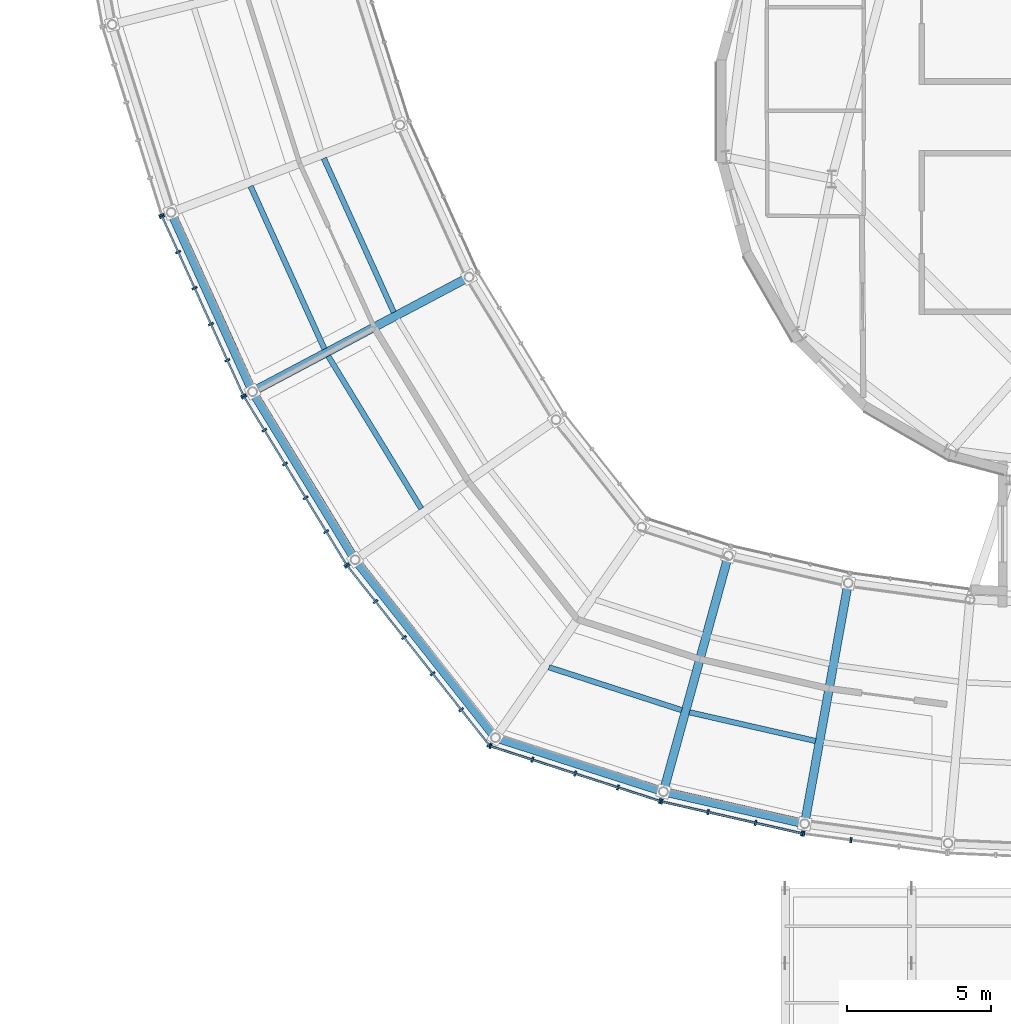
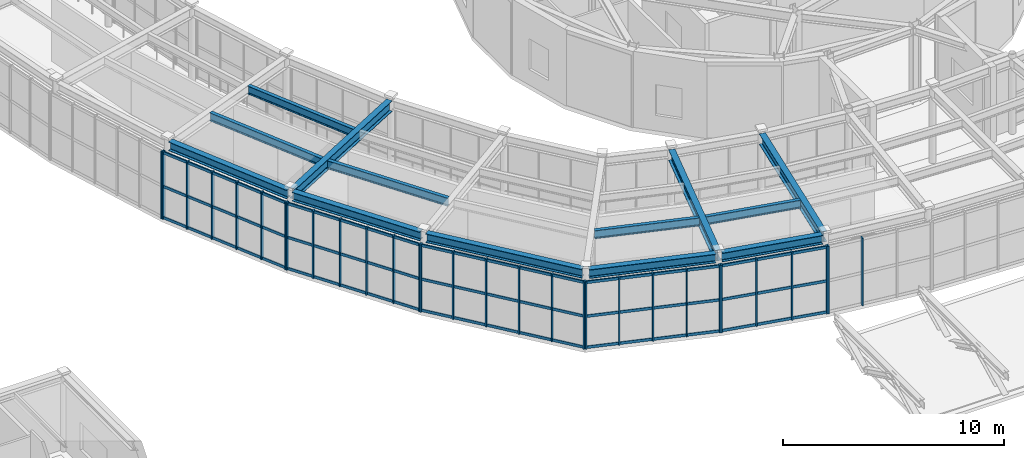
# One storey, part 19 of 103: 45 members, 13 beams, 7 elements without a shape of their own.
"""IFC4 building model written with IfcOpenShell, lengths in metres."""

from ifc_helpers import new_model, si_unit, direction, frame, origin, origin_2d, place, context, subcontext, project, spatial, rectangle, i_section, extrude, material, material_profile, profile_set, type_object, element, aggregate, save


model = new_model("IFC4")

# Units and contexts
model_context = context("Model", 3, precision=1e-05, world=origin(), true_north=direction((0.0, 1.0)))
body_context = subcontext(model_context, "Body", "Model", "MODEL_VIEW")
ifc_project = project(units=[si_unit("LENGTHUNIT", "METRE"), si_unit("AREAUNIT", "SQUARE_METRE"), si_unit("VOLUMEUNIT", "CUBIC_METRE"), si_unit("PLANEANGLEUNIT", "RADIAN"), si_unit("MASSUNIT", "GRAM", prefix="KILO")], contexts=[model_context])

# Site, building, storey
site_placement = place(None, origin())
site = spatial("IfcSite", under=ifc_project, at=site_placement, CompositionType="ELEMENT")
building_placement = place(site_placement, origin())
building = spatial("IfcBuilding", under=site, at=building_placement, Name="Varnklinge Art Gallery", CompositionType="ELEMENT")
storey_placement = place(building_placement, frame((0.0, 0.0, 5.10009765625)))
storey = spatial("IfcBuildingStorey", under=building, at=storey_placement, Name="L01", CompositionType="ELEMENT", Elevation=5.10009765625)

# Beams
ifc_material_1 = material(Name="Steel S355", Category="steel")
ifc_material_profile_1 = material_profile(ifc_material_1, i_section(OverallWidth=0.300048828125, OverallDepth=0.590087890625, WebThickness=0.012939453125, FlangeThickness=0.02490234375, FilletRadius=0.027099609375, at=origin_2d()), Name="HEA 600")
ifc_profile_set_1 = profile_set([ifc_material_profile_1], Name="Steel S355")
beam_type_1 = type_object("IfcBeamType", Name="BM-06", PredefinedType="BEAM", material=ifc_profile_set_1)
beam_1_placement = place(storey_placement, frame((46.407470703125, 28.734619140625, 3.885009765625), z_axis=(0.883713647739, 0.468027978651, 0.0), x_axis=(-0.468027978651, 0.883713647739, 0.0)))
element("IfcBeam", 1, at=beam_1_placement, inside=storey, type_object=beam_type_1, Name="L01 BM-06 BM-V2-L02-R31", PredefinedType="BEAM", context=body_context, shape_type="SweptSolid", body=[
    extrude(i_section(OverallWidth=0.300048828125, OverallDepth=0.590087890625, WebThickness=0.012939453125, FlangeThickness=0.02490234375, FilletRadius=0.027099609375, at=origin_2d()), origin(), (0.0, 0.0, 1.0), 8.237060546875),
])
for number, where, z_axis, x_axis, name in (
    (2, (60.607421875, 14.897705078125, 3.885009765625), (0.26537851046, 0.96414430776, 0.0), (-0.96414430776, 0.26537851046, 0.0), "L01 BM-06 BM-V2-L02-R34"),
    (3, (65.504638671875, 13.78271484375, 3.885009765625), (0.178151776958, 0.984003020507, 0.0), (-0.984003020507, 0.178151776958, 0.0), "L01 BM-06 BM-V2-L02-R35"),
):
    element("IfcBeam", number, at=place(storey_placement, frame(where, z_axis=z_axis, x_axis=x_axis)), inside=storey, type_object=beam_type_1, Name=name, PredefinedType="BEAM", context=body_context, shape_type="SweptSolid", body=[
        extrude(i_section(OverallWidth=0.300048828125, OverallDepth=0.590087890625, WebThickness=0.012939453125, FlangeThickness=0.02490234375, FilletRadius=0.027099609375, at=origin_2d()), origin(), (0.0, 0.0, 1.0), 8.229248046875),
    ])
ifc_material_2 = material(Name="Steel S355", Category="steel")
ifc_material_profile_2 = material_profile(ifc_material_2, i_section(OverallWidth=0.18994140625, OverallDepth=0.449951171875, WebThickness=0.009521484375, FlangeThickness=0.0146484375, FilletRadius=0.02099609375, at=origin_2d()), Name="IPE 450")
ifc_profile_set_2 = profile_set([ifc_material_profile_2], Name="Steel S355")
beam_type_2 = type_object("IfcBeamType", Name="JST-04", PredefinedType="JOIST", material=ifc_profile_set_2)
beam_2_placement = place(storey_placement, frame((46.216064453125, 35.809814453125, 3.954833984375), z_axis=(0.413409198448, -0.910545350127, 0.0), x_axis=(0.910545350127, 0.413409198448, 0.0)))
element("IfcBeam", 4, at=beam_2_placement, inside=storey, type_object=beam_type_2, Name="L01 JST-04 JST-V2-L02-30-1", PredefinedType="JOIST", context=body_context, shape_type="SweptSolid", body=[
    extrude(i_section(OverallWidth=0.18994140625, OverallDepth=0.449951171875, WebThickness=0.009521484375, FlangeThickness=0.0146484375, FilletRadius=0.02099609375, at=origin_2d()), origin(), (0.0, 0.0, 1.0), 6.2138671875),
])
beam_3_placement = place(storey_placement, frame((48.76171875, 36.783447265625, 3.954833984375), z_axis=(0.413430786601, -0.910535548285, 0.0), x_axis=(0.910535548285, 0.413430786601, 0.0)))
element("IfcBeam", 5, at=beam_3_placement, inside=storey, type_object=beam_type_2, Name="L01 JST-04 JST-V2-L02-30-2", PredefinedType="JOIST", context=body_context, shape_type="SweptSolid", body=[
    extrude(i_section(OverallWidth=0.18994140625, OverallDepth=0.449951171875, WebThickness=0.009521484375, FlangeThickness=0.0146484375, FilletRadius=0.02099609375, at=origin_2d()), origin(), (0.0, 0.0, 1.0), 5.88232421875),
])
beam_4_placement = place(storey_placement, frame((48.915771484375, 29.90478515625, 3.954833984375), z_axis=(0.520923848619, -0.853603153661, 0.0), x_axis=(0.853603153661, 0.520923848619, 0.0)))
element("IfcBeam", 6, at=beam_4_placement, inside=storey, type_object=beam_type_2, Name="L01 JST-04 JST-V2-L02-31-1", PredefinedType="JOIST", context=body_context, shape_type="SweptSolid", body=[
    extrude(i_section(OverallWidth=0.18994140625, OverallDepth=0.449951171875, WebThickness=0.009521484375, FlangeThickness=0.0146484375, FilletRadius=0.02099609375, at=origin_2d()), origin(), (0.0, 0.0, 1.0), 6.213623046875),
])
beam_5_placement = place(storey_placement, frame((56.59130859375, 19.085693359375, 3.954833984375), z_axis=(0.951573262441, -0.307422065259, 0.0), x_axis=(0.307422065259, 0.951573262441, 0.0)))
element("IfcBeam", 7, at=beam_5_placement, inside=storey, type_object=beam_type_2, Name="L01 JST-04 JST-V2-L02-33-1", PredefinedType="JOIST", context=body_context, shape_type="SweptSolid", body=[
    extrude(i_section(OverallWidth=0.18994140625, OverallDepth=0.449951171875, WebThickness=0.009521484375, FlangeThickness=0.0146484375, FilletRadius=0.02099609375, at=origin_2d()), origin(), (0.0, 0.0, 1.0), 4.848388671875),
])
beam_6_placement = place(storey_placement, frame((61.474609375, 17.52099609375, 3.954833984375), z_axis=(0.975052249235, -0.22197547446, 0.0), x_axis=(0.22197547446, 0.975052249235, 0.0)))
element("IfcBeam", 8, at=beam_6_placement, inside=storey, type_object=beam_type_2, Name="L01 JST-04 JST-V2-L02-34-1", PredefinedType="JOIST", context=body_context, shape_type="SweptSolid", body=[
    extrude(i_section(OverallWidth=0.18994140625, OverallDepth=0.449951171875, WebThickness=0.009521484375, FlangeThickness=0.0146484375, FilletRadius=0.02099609375, at=origin_2d()), origin(), (0.0, 0.0, 1.0), 4.49609375),
])

# Curtain wall, member
ifc_material_3 = material(Name="Anodised Aluminium", Category="aluminium")
curtain_wall_type_1 = type_object("IfcCurtainWallType", Name="CW-R02", PredefinedType="USERDEFINED", material=ifc_material_3)
curtain_wall_1_placement = place(storey_placement, origin())
curtain_wall_1 = element("IfcCurtainWall", 9, at=curtain_wall_1_placement, inside=storey, type_object=curtain_wall_type_1, Name="L01 Curtain Wall CW-V2O-L01-29", ObjectType="UNITISED CURTAIN WALL", PredefinedType="USERDEFINED")
ifc_material_4 = material(Name="Anodised Aluminium", Category="aluminium")
ifc_material_profile_3 = material_profile(ifc_material_4, rectangle(XDim=0.06494140625, YDim=0.179931640625, at=origin_2d()), Name="ALU 65x180")
ifc_profile_set_3 = profile_set([ifc_material_profile_3], Name="Anodised Aluminium")
member_type_1 = type_object("IfcMemberType", Name="MUL-01", PredefinedType="MULLION", material=ifc_profile_set_3)
member_1_placement = place(storey_placement, frame((43.116943359375, 34.808837890625, 0.0), z_axis=(0.0, 0.0, 1.0), x_axis=(0.299706904751, -0.954031326134, 0.0)))
member_1 = element("IfcMember", 10, at=member_1_placement, type_object=member_type_1, Name="CW-V2O-L01-29 Mullion 6", PredefinedType="MULLION", context=body_context, shape_type="SweptSolid", body=[
    extrude(rectangle(XDim=0.06494140625, YDim=0.179931640625, at=origin_2d()), origin(), (0.0, 0.0, 1.0), 3.72998046875),
])
aggregate(curtain_wall_1, [member_1])

# Curtain wall, members
curtain_wall_2_placement = place(storey_placement, origin())
curtain_wall_2 = element("IfcCurtainWall", 11, at=curtain_wall_2_placement, inside=storey, type_object=curtain_wall_type_1, Name="L01 Curtain Wall CW-V2O-L01-30", ObjectType="UNITISED CURTAIN WALL", PredefinedType="USERDEFINED")
member_2_placement = place(storey_placement, frame((43.139892578125, 34.748291015625, 0.0), z_axis=(0.0, 0.0, 1.0), x_axis=(0.413422293217, -0.910539404678, 0.0)))
member_2 = element("IfcMember", 12, at=member_2_placement, type_object=member_type_1, Name="CW-V2O-L01-30 Mullion 1", PredefinedType="MULLION", context=body_context, shape_type="SweptSolid", body=[
    extrude(rectangle(XDim=0.06494140625, YDim=0.179931640625, at=origin_2d()), origin(), (0.0, 0.0, 1.0), 3.72998046875),
])
member_3_placement = place(storey_placement, frame((43.6962890625, 33.523193359375, 0.0), z_axis=(0.0, 0.0, 1.0), x_axis=(0.413422293217, -0.910539404678, 0.0)))
member_3 = element("IfcMember", 13, at=member_3_placement, type_object=member_type_1, Name="CW-V2O-L01-30 Mullion 2", PredefinedType="MULLION", context=body_context, shape_type="SweptSolid", body=[
    extrude(rectangle(XDim=0.06494140625, YDim=0.179931640625, at=origin_2d()), origin(), (0.0, 0.0, 1.0), 3.72998046875),
])
member_4_placement = place(storey_placement, frame((44.265869140625, 32.268798828125, 0.0), z_axis=(0.0, 0.0, 1.0), x_axis=(0.413422293217, -0.910539404678, 0.0)))
member_4 = element("IfcMember", 14, at=member_4_placement, type_object=member_type_1, Name="CW-V2O-L01-30 Mullion 3", PredefinedType="MULLION", context=body_context, shape_type="SweptSolid", body=[
    extrude(rectangle(XDim=0.06494140625, YDim=0.179931640625, at=origin_2d()), origin(), (0.0, 0.0, 1.0), 3.72998046875),
])
member_5_placement = place(storey_placement, frame((44.835205078125, 31.01416015625, 0.0), z_axis=(0.0, 0.0, 1.0), x_axis=(0.413422293217, -0.910539404678, 0.0)))
member_5 = element("IfcMember", 15, at=member_5_placement, type_object=member_type_1, Name="CW-V2O-L01-30 Mullion 4", PredefinedType="MULLION", context=body_context, shape_type="SweptSolid", body=[
    extrude(rectangle(XDim=0.06494140625, YDim=0.179931640625, at=origin_2d()), origin(), (0.0, 0.0, 1.0), 3.72998046875),
])
member_6_placement = place(storey_placement, frame((45.40478515625, 29.759765625, 0.0), z_axis=(0.0, 0.0, 1.0), x_axis=(0.413422293217, -0.910539404678, 0.0)))
member_6 = element("IfcMember", 16, at=member_6_placement, type_object=member_type_1, Name="CW-V2O-L01-30 Mullion 5", PredefinedType="MULLION", context=body_context, shape_type="SweptSolid", body=[
    extrude(rectangle(XDim=0.06494140625, YDim=0.179931640625, at=origin_2d()), origin(), (0.0, 0.0, 1.0), 3.72998046875),
])
member_7_placement = place(storey_placement, frame((45.961181640625, 28.534912109375, 0.0), z_axis=(0.0, 0.0, 1.0), x_axis=(0.413422293217, -0.910539404678, 0.0)))
member_7 = element("IfcMember", 17, at=member_7_placement, type_object=member_type_1, Name="CW-V2O-L01-30 Mullion 6", PredefinedType="MULLION", context=body_context, shape_type="SweptSolid", body=[
    extrude(rectangle(XDim=0.06494140625, YDim=0.179931640625, at=origin_2d()), origin(), (0.0, 0.0, 1.0), 3.72998046875),
])

curtain_wall_3_placement = place(storey_placement, origin())
curtain_wall_3 = element("IfcCurtainWall", 18, at=curtain_wall_3_placement, inside=storey, type_object=curtain_wall_type_1, Name="L01 Curtain Wall CW-V2O-L01-31", ObjectType="UNITISED CURTAIN WALL", PredefinedType="USERDEFINED")
member_8_placement = place(storey_placement, frame((45.991455078125, 28.4775390625, 0.0), z_axis=(0.0, 0.0, 1.0), x_axis=(0.520860651188, -0.85364171761, 0.0)))
member_8 = element("IfcMember", 19, at=member_8_placement, type_object=member_type_1, Name="CW-V2O-L01-31 Mullion 1", PredefinedType="MULLION", context=body_context, shape_type="SweptSolid", body=[
    extrude(rectangle(XDim=0.06494140625, YDim=0.179931640625, at=origin_2d()), origin(), (0.0, 0.0, 1.0), 3.72998046875),
])
member_9_placement = place(storey_placement, frame((46.692138671875, 27.3291015625, 0.0), z_axis=(0.0, 0.0, 1.0), x_axis=(0.520860651188, -0.85364171761, 0.0)))
member_9 = element("IfcMember", 20, at=member_9_placement, type_object=member_type_1, Name="CW-V2O-L01-31 Mullion 2", PredefinedType="MULLION", context=body_context, shape_type="SweptSolid", body=[
    extrude(rectangle(XDim=0.06494140625, YDim=0.179931640625, at=origin_2d()), origin(), (0.0, 0.0, 1.0), 3.72998046875),
])
member_10_placement = place(storey_placement, frame((47.409912109375, 26.153076171875, 0.0), z_axis=(0.0, 0.0, 1.0), x_axis=(0.520860651188, -0.85364171761, 0.0)))
member_10 = element("IfcMember", 21, at=member_10_placement, type_object=member_type_1, Name="CW-V2O-L01-31 Mullion 3", PredefinedType="MULLION", context=body_context, shape_type="SweptSolid", body=[
    extrude(rectangle(XDim=0.06494140625, YDim=0.179931640625, at=origin_2d()), origin(), (0.0, 0.0, 1.0), 3.72998046875),
])
member_11_placement = place(storey_placement, frame((48.127685546875, 24.97705078125, 0.0), z_axis=(0.0, 0.0, 1.0), x_axis=(0.520860651188, -0.85364171761, 0.0)))
member_11 = element("IfcMember", 22, at=member_11_placement, type_object=member_type_1, Name="CW-V2O-L01-31 Mullion 4", PredefinedType="MULLION", context=body_context, shape_type="SweptSolid", body=[
    extrude(rectangle(XDim=0.06494140625, YDim=0.179931640625, at=origin_2d()), origin(), (0.0, 0.0, 1.0), 3.72998046875),
])
member_12_placement = place(storey_placement, frame((48.84521484375, 23.801025390625, 0.0), z_axis=(0.0, 0.0, 1.0), x_axis=(0.520860651188, -0.85364171761, 0.0)))
member_12 = element("IfcMember", 23, at=member_12_placement, type_object=member_type_1, Name="CW-V2O-L01-31 Mullion 5", PredefinedType="MULLION", context=body_context, shape_type="SweptSolid", body=[
    extrude(rectangle(XDim=0.06494140625, YDim=0.179931640625, at=origin_2d()), origin(), (0.0, 0.0, 1.0), 3.72998046875),
])
member_13_placement = place(storey_placement, frame((49.546142578125, 22.652587890625, 0.0), z_axis=(0.0, 0.0, 1.0), x_axis=(0.520860651188, -0.85364171761, 0.0)))
member_13 = element("IfcMember", 24, at=member_13_placement, type_object=member_type_1, Name="CW-V2O-L01-31 Mullion 6", PredefinedType="MULLION", context=body_context, shape_type="SweptSolid", body=[
    extrude(rectangle(XDim=0.06494140625, YDim=0.179931640625, at=origin_2d()), origin(), (0.0, 0.0, 1.0), 3.72998046875),
])

curtain_wall_4_placement = place(storey_placement, origin())
curtain_wall_4 = element("IfcCurtainWall", 25, at=curtain_wall_4_placement, inside=storey, type_object=curtain_wall_type_1, Name="L01 Curtain Wall CW-V2O-L01-32", ObjectType="UNITISED CURTAIN WALL", PredefinedType="USERDEFINED")
member_14_placement = place(storey_placement, frame((49.583251953125, 22.599609375, 0.0), z_axis=(0.0, 0.0, 1.0), x_axis=(0.620737354217, -0.784018582101, 0.0)))
member_14 = element("IfcMember", 26, at=member_14_placement, type_object=member_type_1, Name="CW-V2O-L01-32 Mullion 1", PredefinedType="MULLION", context=body_context, shape_type="SweptSolid", body=[
    extrude(rectangle(XDim=0.06494140625, YDim=0.179931640625, at=origin_2d()), origin(), (0.0, 0.0, 1.0), 3.72998046875),
])
member_15_placement = place(storey_placement, frame((50.556396484375, 21.37060546875, 0.0), z_axis=(0.0, 0.0, 1.0), x_axis=(0.620737354217, -0.784018582101, 0.0)))
member_15 = element("IfcMember", 27, at=member_15_placement, type_object=member_type_1, Name="CW-V2O-L01-32 Mullion 2", PredefinedType="MULLION", context=body_context, shape_type="SweptSolid", body=[
    extrude(rectangle(XDim=0.06494140625, YDim=0.179931640625, at=origin_2d()), origin(), (0.0, 0.0, 1.0), 3.72998046875),
])
member_16_placement = place(storey_placement, frame((51.549560546875, 20.1162109375, 0.0), z_axis=(0.0, 0.0, 1.0), x_axis=(0.620737354217, -0.784018582101, 0.0)))
member_16 = element("IfcMember", 28, at=member_16_placement, type_object=member_type_1, Name="CW-V2O-L01-32 Mullion 3", PredefinedType="MULLION", context=body_context, shape_type="SweptSolid", body=[
    extrude(rectangle(XDim=0.06494140625, YDim=0.179931640625, at=origin_2d()), origin(), (0.0, 0.0, 1.0), 3.72998046875),
])
member_17_placement = place(storey_placement, frame((52.542724609375, 18.86181640625, 0.0), z_axis=(0.0, 0.0, 1.0), x_axis=(0.620737354217, -0.784018582101, 0.0)))
member_17 = element("IfcMember", 29, at=member_17_placement, type_object=member_type_1, Name="CW-V2O-L01-32 Mullion 4", PredefinedType="MULLION", context=body_context, shape_type="SweptSolid", body=[
    extrude(rectangle(XDim=0.06494140625, YDim=0.179931640625, at=origin_2d()), origin(), (0.0, 0.0, 1.0), 3.72998046875),
])
member_18_placement = place(storey_placement, frame((53.5361328125, 17.607177734375, 0.0), z_axis=(0.0, 0.0, 1.0), x_axis=(0.620737354217, -0.784018582101, 0.0)))
member_18 = element("IfcMember", 30, at=member_18_placement, type_object=member_type_1, Name="CW-V2O-L01-32 Mullion 5", PredefinedType="MULLION", context=body_context, shape_type="SweptSolid", body=[
    extrude(rectangle(XDim=0.06494140625, YDim=0.179931640625, at=origin_2d()), origin(), (0.0, 0.0, 1.0), 3.72998046875),
])
member_19_placement = place(storey_placement, frame((54.50927734375, 16.37841796875, 0.0), z_axis=(0.0, 0.0, 1.0), x_axis=(0.620737354217, -0.784018582101, 0.0)))
member_19 = element("IfcMember", 31, at=member_19_placement, type_object=member_type_1, Name="CW-V2O-L01-32 Mullion 6", PredefinedType="MULLION", context=body_context, shape_type="SweptSolid", body=[
    extrude(rectangle(XDim=0.06494140625, YDim=0.179931640625, at=origin_2d()), origin(), (0.0, 0.0, 1.0), 3.72998046875),
])

curtain_wall_5_placement = place(storey_placement, origin())
curtain_wall_5 = element("IfcCurtainWall", 32, at=curtain_wall_5_placement, inside=storey, type_object=curtain_wall_type_1, Name="L01 Curtain Wall CW-V2O-L01-33", ObjectType="UNITISED CURTAIN WALL", PredefinedType="USERDEFINED")
member_20_placement = place(storey_placement, frame((54.560302734375, 16.3427734375, 0.0), z_axis=(0.0, 0.0, 1.0), x_axis=(0.951272019071, -0.30835295642, 0.0)))
member_20 = element("IfcMember", 33, at=member_20_placement, type_object=member_type_1, Name="CW-V2O-L01-33 Mullion 1", PredefinedType="MULLION", context=body_context, shape_type="SweptSolid", body=[
    extrude(rectangle(XDim=0.06494140625, YDim=0.179931640625, at=origin_2d()), origin(), (0.0, 0.0, 1.0), 3.72998046875),
])
member_21_placement = place(storey_placement, frame((56.016357421875, 15.870849609375, 0.0), z_axis=(0.0, 0.0, 1.0), x_axis=(0.951272019071, -0.30835295642, 0.0)))
member_21 = element("IfcMember", 34, at=member_21_placement, type_object=member_type_1, Name="CW-V2O-L01-33 Mullion 2", PredefinedType="MULLION", context=body_context, shape_type="SweptSolid", body=[
    extrude(rectangle(XDim=0.06494140625, YDim=0.179931640625, at=origin_2d()), origin(), (0.0, 0.0, 1.0), 3.72998046875),
])
member_22_placement = place(storey_placement, frame((57.50341796875, 15.388916015625, 0.0), z_axis=(0.0, 0.0, 1.0), x_axis=(0.951272019071, -0.30835295642, 0.0)))
member_22 = element("IfcMember", 35, at=member_22_placement, type_object=member_type_1, Name="CW-V2O-L01-33 Mullion 3", PredefinedType="MULLION", context=body_context, shape_type="SweptSolid", body=[
    extrude(rectangle(XDim=0.06494140625, YDim=0.179931640625, at=origin_2d()), origin(), (0.0, 0.0, 1.0), 3.72998046875),
])
member_23_placement = place(storey_placement, frame((58.990478515625, 14.906982421875, 0.0), z_axis=(0.0, 0.0, 1.0), x_axis=(0.951272019071, -0.30835295642, 0.0)))
member_23 = element("IfcMember", 36, at=member_23_placement, type_object=member_type_1, Name="CW-V2O-L01-33 Mullion 4", PredefinedType="MULLION", context=body_context, shape_type="SweptSolid", body=[
    extrude(rectangle(XDim=0.06494140625, YDim=0.179931640625, at=origin_2d()), origin(), (0.0, 0.0, 1.0), 3.72998046875),
])
member_24_placement = place(storey_placement, frame((60.446533203125, 14.435302734375, 0.0), z_axis=(0.0, 0.0, 1.0), x_axis=(0.951272019071, -0.30835295642, 0.0)))
member_24 = element("IfcMember", 37, at=member_24_placement, type_object=member_type_1, Name="CW-V2O-L01-33 Mullion 5", PredefinedType="MULLION", context=body_context, shape_type="SweptSolid", body=[
    extrude(rectangle(XDim=0.06494140625, YDim=0.179931640625, at=origin_2d()), origin(), (0.0, 0.0, 1.0), 3.72998046875),
])

ifc_material_5 = material(Name="Anodised Aluminium", Category="aluminium")
curtain_wall_type_2 = type_object("IfcCurtainWallType", Name="CW-R04", PredefinedType="USERDEFINED", material=ifc_material_5)
curtain_wall_6_placement = place(storey_placement, origin())
curtain_wall_6 = element("IfcCurtainWall", 38, at=curtain_wall_6_placement, inside=storey, type_object=curtain_wall_type_2, Name="L01 Curtain Wall CW-V2O-L01-34", ObjectType="UNITISED CURTAIN WALL", PredefinedType="USERDEFINED")
member_25_placement = place(storey_placement, frame((60.509033203125, 14.41796875, 0.0), z_axis=(0.0, 0.0, 1.0), x_axis=(0.975071959883, -0.221888875454, 0.0)))
member_25 = element("IfcMember", 39, at=member_25_placement, type_object=member_type_1, Name="CW-V2O-L01-34 Mullion 1", PredefinedType="MULLION", context=body_context, shape_type="SweptSolid", body=[
    extrude(rectangle(XDim=0.06494140625, YDim=0.179931640625, at=origin_2d()), origin(), (0.0, 0.0, 1.0), 3.72998046875),
])
member_26_placement = place(storey_placement, frame((62.1240234375, 14.05029296875, 0.0), z_axis=(0.0, 0.0, 1.0), x_axis=(0.975071959883, -0.221888875454, 0.0)))
member_26 = element("IfcMember", 40, at=member_26_placement, type_object=member_type_1, Name="CW-V2O-L01-34 Mullion 2", PredefinedType="MULLION", context=body_context, shape_type="SweptSolid", body=[
    extrude(rectangle(XDim=0.06494140625, YDim=0.179931640625, at=origin_2d()), origin(), (0.0, 0.0, 1.0), 3.72998046875),
])
member_27_placement = place(storey_placement, frame((63.770751953125, 13.675537109375, 0.0), z_axis=(0.0, 0.0, 1.0), x_axis=(0.975071959883, -0.221888875454, 0.0)))
member_27 = element("IfcMember", 41, at=member_27_placement, type_object=member_type_1, Name="CW-V2O-L01-34 Mullion 3", PredefinedType="MULLION", context=body_context, shape_type="SweptSolid", body=[
    extrude(rectangle(XDim=0.06494140625, YDim=0.179931640625, at=origin_2d()), origin(), (0.0, 0.0, 1.0), 3.72998046875),
])
member_28_placement = place(storey_placement, frame((65.3857421875, 13.307861328125, 0.0), z_axis=(0.0, 0.0, 1.0), x_axis=(0.975071959883, -0.221888875454, 0.0)))
member_28 = element("IfcMember", 42, at=member_28_placement, type_object=member_type_1, Name="CW-V2O-L01-34 Mullion 4", PredefinedType="MULLION", context=body_context, shape_type="SweptSolid", body=[
    extrude(rectangle(XDim=0.06494140625, YDim=0.179931640625, at=origin_2d()), origin(), (0.0, 0.0, 1.0), 3.72998046875),
])

curtain_wall_7_placement = place(storey_placement, origin())
curtain_wall_7 = element("IfcCurtainWall", 43, at=curtain_wall_7_placement, inside=storey, type_object=curtain_wall_type_2, Name="L01 Curtain Wall CW-V2O-L01-35", ObjectType="UNITISED CURTAIN WALL", PredefinedType="USERDEFINED")
member_29_placement = place(storey_placement, frame((65.44970703125, 13.296142578125, 0.0), z_axis=(0.0, 0.0, 1.0), x_axis=(0.990983199715, -0.133986185418, 0.0)))
member_29 = element("IfcMember", 44, at=member_29_placement, type_object=member_type_1, Name="CW-V2O-L01-35 Mullion 1", PredefinedType="MULLION", context=body_context, shape_type="SweptSolid", body=[
    extrude(rectangle(XDim=0.06494140625, YDim=0.179931640625, at=origin_2d()), origin(), (0.0, 0.0, 1.0), 3.72998046875),
])
member_30_placement = place(storey_placement, frame((67.091064453125, 13.074462890625, 0.0), z_axis=(0.0, 0.0, 1.0), x_axis=(0.990983199715, -0.133986185418, 0.0)))
member_30 = element("IfcMember", 45, at=member_30_placement, type_object=member_type_1, Name="CW-V2O-L01-35 Mullion 2", PredefinedType="MULLION", context=body_context, shape_type="SweptSolid", body=[
    extrude(rectangle(XDim=0.06494140625, YDim=0.179931640625, at=origin_2d()), origin(), (0.0, 0.0, 1.0), 3.72998046875),
])
aggregate(curtain_wall_7, [member_29, member_30])

# Beams
ifc_material_6 = material(Name="Steel S355", Category="steel")
ifc_material_profile_4 = material_profile(ifc_material_6, i_section(OverallWidth=0.300048828125, OverallDepth=0.489990234375, WebThickness=0.011962890625, FlangeThickness=0.02294921875, FilletRadius=0.027099609375, at=origin_2d()), Name="HEA 500")
ifc_profile_set_4 = profile_set([ifc_material_profile_4], Name="Steel S355")
beam_type_3 = type_object("IfcBeamType", Name="SPB-01", PredefinedType="SPANDREL", material=ifc_profile_set_4)
beam_7_placement = place(storey_placement, frame((43.511474609375, 34.775390625, 3.934814453125), z_axis=(0.413377101484, -0.910559922229, 0.0), x_axis=(0.910559922229, 0.413377101484, 0.0)))
element("IfcBeam", 46, at=beam_7_placement, inside=storey, type_object=beam_type_3, Name="L01 SPB-01 BM-V2-L02-O30", PredefinedType="SPANDREL", context=body_context, shape_type="SweptSolid", body=[
    extrude(i_section(OverallWidth=0.300048828125, OverallDepth=0.489990234375, WebThickness=0.011962890625, FlangeThickness=0.02294921875, FilletRadius=0.027099609375, at=origin_2d()), origin(), (0.0, 0.0, 1.0), 6.56640625),
])
beam_8_placement = place(storey_placement, frame((46.356689453125, 28.549560546875, 3.934814453125), z_axis=(0.520911485476, -0.853610698327, 0.0), x_axis=(0.853610698327, 0.520911485476, 0.0)))
element("IfcBeam", 47, at=beam_8_placement, inside=storey, type_object=beam_type_3, Name="L01 SPB-01 BM-V2-L02-O31", PredefinedType="SPANDREL", context=body_context, shape_type="SweptSolid", body=[
    extrude(i_section(OverallWidth=0.300048828125, OverallDepth=0.489990234375, WebThickness=0.011962890625, FlangeThickness=0.02294921875, FilletRadius=0.027099609375, at=origin_2d()), origin(), (0.0, 0.0, 1.0), 6.566162109375),
])
beam_9_placement = place(storey_placement, frame((49.936767578125, 22.71533203125, 3.934814453125), z_axis=(0.619327516232, -0.785132745233, 0.0), x_axis=(0.785132745233, 0.619327516232, 0.0)))
element("IfcBeam", 48, at=beam_9_placement, inside=storey, type_object=beam_type_3, Name="L01 SPB-01 BM-V2-L02-O32", PredefinedType="SPANDREL", context=body_context, shape_type="SweptSolid", body=[
    extrude(i_section(OverallWidth=0.300048828125, OverallDepth=0.489990234375, WebThickness=0.011962890625, FlangeThickness=0.02294921875, FilletRadius=0.027099609375, at=origin_2d()), origin(), (0.0, 0.0, 1.0), 7.597900390625),
])
beam_10_placement = place(storey_placement, frame((54.8623046875, 16.597412109375, 3.934814453125), z_axis=(0.952022487869, -0.306028074843, 0.0), x_axis=(0.306028074843, 0.952022487869, 0.0)))
element("IfcBeam", 49, at=beam_10_placement, inside=storey, type_object=beam_type_3, Name="L01 SPB-01 BM-V2-L02-O33", PredefinedType="SPANDREL", context=body_context, shape_type="SweptSolid", body=[
    extrude(i_section(OverallWidth=0.300048828125, OverallDepth=0.489990234375, WebThickness=0.011962890625, FlangeThickness=0.02294921875, FilletRadius=0.027099609375, at=origin_2d()), origin(), (0.0, 0.0, 1.0), 5.855712890625),
])
beam_11_placement = place(storey_placement, frame((60.706787109375, 14.7314453125, 3.934814453125), z_axis=(0.975056640979, -0.221956182347, 0.0), x_axis=(0.221956182347, 0.975056640979, 0.0)))
element("IfcBeam", 50, at=beam_11_placement, inside=storey, type_object=beam_type_3, Name="L01 SPB-01 BM-V2-L02-O34", PredefinedType="SPANDREL", context=body_context, shape_type="SweptSolid", body=[
    extrude(i_section(OverallWidth=0.300048828125, OverallDepth=0.489990234375, WebThickness=0.011962890625, FlangeThickness=0.02294921875, FilletRadius=0.027099609375, at=origin_2d()), origin(), (0.0, 0.0, 1.0), 4.755126953125),
])

# Member
ifc_material_7 = material(Name="Anodised Aluminium", Category="aluminium")
ifc_material_profile_5 = material_profile(ifc_material_7, rectangle(XDim=0.06494140625, YDim=0.14990234375, at=origin_2d()), Name="ALU 65x150")
ifc_profile_set_5 = profile_set([ifc_material_profile_5], Name="Anodised Aluminium")
member_type_2 = type_object("IfcMemberType", Name="TRN-01", PredefinedType="USERDEFINED", material=ifc_profile_set_5)
member_31_placement = place(storey_placement, frame((43.139892578125, 34.748291015625, 0.074951171875), z_axis=(0.413441708703, -0.910530589, 0.0), x_axis=(0.910530589, 0.413441708703, 0.0)))
member_31 = element("IfcMember", 51, at=member_31_placement, type_object=member_type_2, Name="CW-V2O-L01-30 Transom 1", ObjectType="TRANSOM", PredefinedType="USERDEFINED", context=body_context, shape_type="SweptSolid", body=[
    extrude(rectangle(XDim=0.06494140625, YDim=0.14990234375, at=origin_2d()), origin(), (0.0, 0.0, 1.0), 6.823974609375),
])

member_32_placement = place(storey_placement, frame((43.139892578125, 34.748291015625, 1.790283203125), z_axis=(0.413441708703, -0.910530589, 0.0), x_axis=(0.910530589, 0.413441708703, 0.0)))
member_32 = element("IfcMember", 52, at=member_32_placement, type_object=member_type_2, Name="CW-V2O-L01-30 Transom 2", ObjectType="TRANSOM", PredefinedType="USERDEFINED", context=body_context, shape_type="SweptSolid", body=[
    extrude(rectangle(XDim=0.06494140625, YDim=0.14990234375, at=origin_2d()), origin(), (0.0, 0.0, 1.0), 6.823974609375),
])

member_33_placement = place(storey_placement, frame((43.139892578125, 34.748291015625, 3.65478515625), z_axis=(0.413441708703, -0.910530589, 0.0), x_axis=(0.910530589, 0.413441708703, 0.0)))
member_33 = element("IfcMember", 53, at=member_33_placement, type_object=member_type_2, Name="CW-V2O-L01-30 Transom 3", ObjectType="TRANSOM", PredefinedType="USERDEFINED", context=body_context, shape_type="SweptSolid", body=[
    extrude(rectangle(XDim=0.06494140625, YDim=0.14990234375, at=origin_2d()), origin(), (0.0, 0.0, 1.0), 6.823974609375),
])

aggregate(curtain_wall_2, [member_2, member_3, member_4, member_5, member_6, member_7, member_31, member_32, member_33])

member_34_placement = place(storey_placement, frame((45.991455078125, 28.4775390625, 0.074951171875), z_axis=(0.520915902613, -0.853608002777, 0.0), x_axis=(0.853608002777, 0.520915902613, 0.0)))
member_34 = element("IfcMember", 54, at=member_34_placement, type_object=member_type_2, Name="CW-V2O-L01-31 Transom 1", ObjectType="TRANSOM", PredefinedType="USERDEFINED", context=body_context, shape_type="SweptSolid", body=[
    extrude(rectangle(XDim=0.06494140625, YDim=0.14990234375, at=origin_2d()), origin(), (0.0, 0.0, 1.0), 6.823974609375),
])

member_35_placement = place(storey_placement, frame((45.991455078125, 28.4775390625, 1.790283203125), z_axis=(0.520915902613, -0.853608002777, 0.0), x_axis=(0.853608002777, 0.520915902613, 0.0)))
member_35 = element("IfcMember", 55, at=member_35_placement, type_object=member_type_2, Name="CW-V2O-L01-31 Transom 2", ObjectType="TRANSOM", PredefinedType="USERDEFINED", context=body_context, shape_type="SweptSolid", body=[
    extrude(rectangle(XDim=0.06494140625, YDim=0.14990234375, at=origin_2d()), origin(), (0.0, 0.0, 1.0), 6.823974609375),
])

member_36_placement = place(storey_placement, frame((45.991455078125, 28.4775390625, 3.65478515625), z_axis=(0.520915902613, -0.853608002777, 0.0), x_axis=(0.853608002777, 0.520915902613, 0.0)))
member_36 = element("IfcMember", 56, at=member_36_placement, type_object=member_type_2, Name="CW-V2O-L01-31 Transom 3", ObjectType="TRANSOM", PredefinedType="USERDEFINED", context=body_context, shape_type="SweptSolid", body=[
    extrude(rectangle(XDim=0.06494140625, YDim=0.14990234375, at=origin_2d()), origin(), (0.0, 0.0, 1.0), 6.823974609375),
])

aggregate(curtain_wall_3, [member_8, member_9, member_10, member_11, member_12, member_13, member_34, member_35, member_36])

member_37_placement = place(storey_placement, frame((49.583251953125, 22.599609375, 0.074951171875), z_axis=(0.620773865462, -0.783989673376, 0.0), x_axis=(0.783989673376, 0.620773865462, 0.0)))
member_37 = element("IfcMember", 57, at=member_37_placement, type_object=member_type_2, Name="CW-V2O-L01-32 Transom 1", ObjectType="TRANSOM", PredefinedType="USERDEFINED", context=body_context, shape_type="SweptSolid", body=[
    extrude(rectangle(XDim=0.06494140625, YDim=0.14990234375, at=origin_2d()), origin(), (0.0, 0.0, 1.0), 7.935302734375),
])

member_38_placement = place(storey_placement, frame((49.583251953125, 22.599609375, 1.790283203125), z_axis=(0.620773865462, -0.783989673376, 0.0), x_axis=(0.783989673376, 0.620773865462, 0.0)))
member_38 = element("IfcMember", 58, at=member_38_placement, type_object=member_type_2, Name="CW-V2O-L01-32 Transom 2", ObjectType="TRANSOM", PredefinedType="USERDEFINED", context=body_context, shape_type="SweptSolid", body=[
    extrude(rectangle(XDim=0.06494140625, YDim=0.14990234375, at=origin_2d()), origin(), (0.0, 0.0, 1.0), 7.935302734375),
])

member_39_placement = place(storey_placement, frame((49.583251953125, 22.599609375, 3.65478515625), z_axis=(0.620773865462, -0.783989673376, 0.0), x_axis=(0.783989673376, 0.620773865462, 0.0)))
member_39 = element("IfcMember", 59, at=member_39_placement, type_object=member_type_2, Name="CW-V2O-L01-32 Transom 3", ObjectType="TRANSOM", PredefinedType="USERDEFINED", context=body_context, shape_type="SweptSolid", body=[
    extrude(rectangle(XDim=0.06494140625, YDim=0.14990234375, at=origin_2d()), origin(), (0.0, 0.0, 1.0), 7.935302734375),
])

aggregate(curtain_wall_4, [member_14, member_15, member_16, member_17, member_18, member_19, member_37, member_38, member_39])

member_40_placement = place(storey_placement, frame((54.560302734375, 16.3427734375, 0.074951171875), z_axis=(0.951297583727, -0.308274078045, 0.0), x_axis=(0.308274078045, 0.951297583727, 0.0)))
member_40 = element("IfcMember", 60, at=member_40_placement, type_object=member_type_2, Name="CW-V2O-L01-33 Transom 1", ObjectType="TRANSOM", PredefinedType="USERDEFINED", context=body_context, shape_type="SweptSolid", body=[
    extrude(rectangle(XDim=0.06494140625, YDim=0.14990234375, at=origin_2d()), origin(), (0.0, 0.0, 1.0), 6.1875),
])

member_41_placement = place(storey_placement, frame((54.560302734375, 16.3427734375, 1.790283203125), z_axis=(0.951297583727, -0.308274078045, 0.0), x_axis=(0.308274078045, 0.951297583727, 0.0)))
member_41 = element("IfcMember", 61, at=member_41_placement, type_object=member_type_2, Name="CW-V2O-L01-33 Transom 2", ObjectType="TRANSOM", PredefinedType="USERDEFINED", context=body_context, shape_type="SweptSolid", body=[
    extrude(rectangle(XDim=0.06494140625, YDim=0.14990234375, at=origin_2d()), origin(), (0.0, 0.0, 1.0), 6.1875),
])

member_42_placement = place(storey_placement, frame((54.560302734375, 16.3427734375, 3.65478515625), z_axis=(0.951297583727, -0.308274078045, 0.0), x_axis=(0.308274078045, 0.951297583727, 0.0)))
member_42 = element("IfcMember", 62, at=member_42_placement, type_object=member_type_2, Name="CW-V2O-L01-33 Transom 3", ObjectType="TRANSOM", PredefinedType="USERDEFINED", context=body_context, shape_type="SweptSolid", body=[
    extrude(rectangle(XDim=0.06494140625, YDim=0.14990234375, at=origin_2d()), origin(), (0.0, 0.0, 1.0), 6.1875),
])

aggregate(curtain_wall_5, [member_20, member_21, member_22, member_23, member_24, member_40, member_41, member_42])

member_43_placement = place(storey_placement, frame((60.509033203125, 14.41796875, 0.074951171875), z_axis=(0.975056556425, -0.221956553795, 0.0), x_axis=(0.221956553795, 0.975056556425, 0.0)))
member_43 = element("IfcMember", 63, at=member_43_placement, type_object=member_type_2, Name="CW-V2O-L01-34 Transom 1", ObjectType="TRANSOM", PredefinedType="USERDEFINED", context=body_context, shape_type="SweptSolid", body=[
    extrude(rectangle(XDim=0.06494140625, YDim=0.14990234375, at=origin_2d()), origin(), (0.0, 0.0, 1.0), 5.00146484375),
])

member_44_placement = place(storey_placement, frame((60.509033203125, 14.41796875, 1.790283203125), z_axis=(0.975056556425, -0.221956553795, 0.0), x_axis=(0.221956553795, 0.975056556425, 0.0)))
member_44 = element("IfcMember", 64, at=member_44_placement, type_object=member_type_2, Name="CW-V2O-L01-34 Transom 2", ObjectType="TRANSOM", PredefinedType="USERDEFINED", context=body_context, shape_type="SweptSolid", body=[
    extrude(rectangle(XDim=0.06494140625, YDim=0.14990234375, at=origin_2d()), origin(), (0.0, 0.0, 1.0), 5.00146484375),
])

member_45_placement = place(storey_placement, frame((60.509033203125, 14.41796875, 3.65478515625), z_axis=(0.975056556425, -0.221956553795, 0.0), x_axis=(0.221956553795, 0.975056556425, 0.0)))
member_45 = element("IfcMember", 65, at=member_45_placement, type_object=member_type_2, Name="CW-V2O-L01-34 Transom 3", ObjectType="TRANSOM", PredefinedType="USERDEFINED", context=body_context, shape_type="SweptSolid", body=[
    extrude(rectangle(XDim=0.06494140625, YDim=0.14990234375, at=origin_2d()), origin(), (0.0, 0.0, 1.0), 5.00146484375),
])

aggregate(curtain_wall_6, [member_25, member_26, member_27, member_28, member_43, member_44, member_45])

save(model, "model.ifc")
